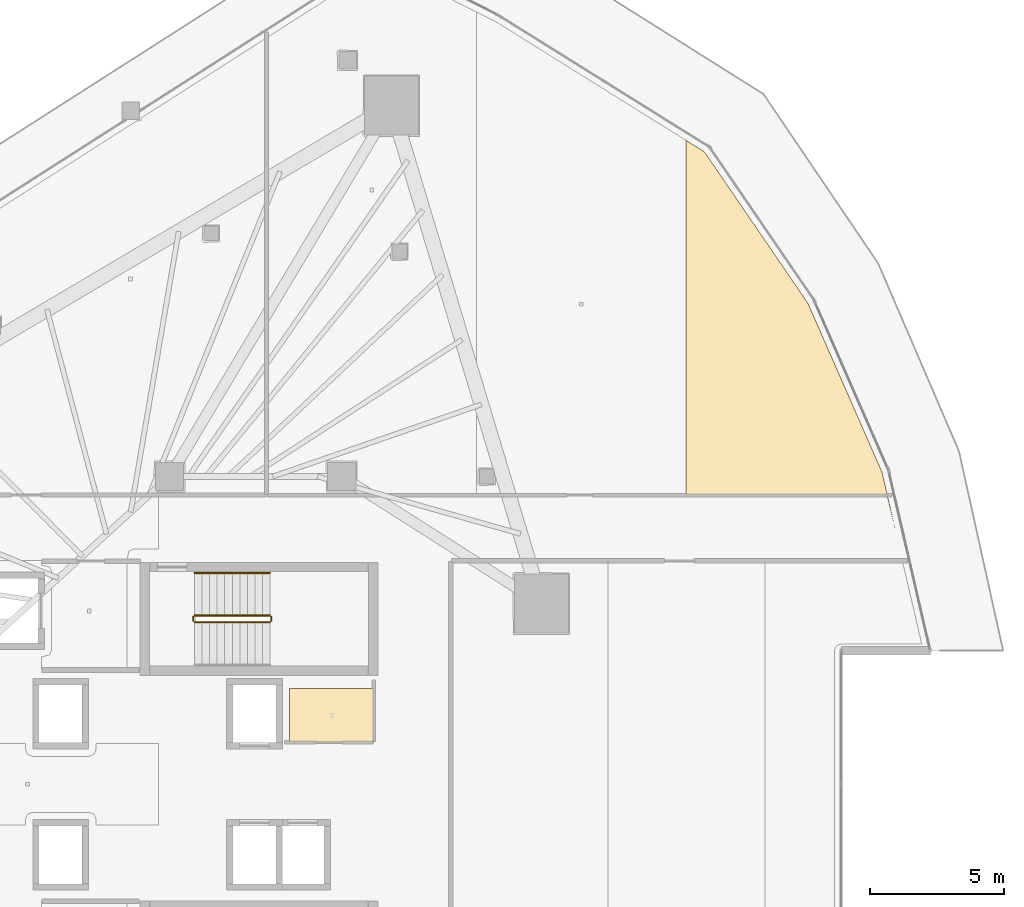
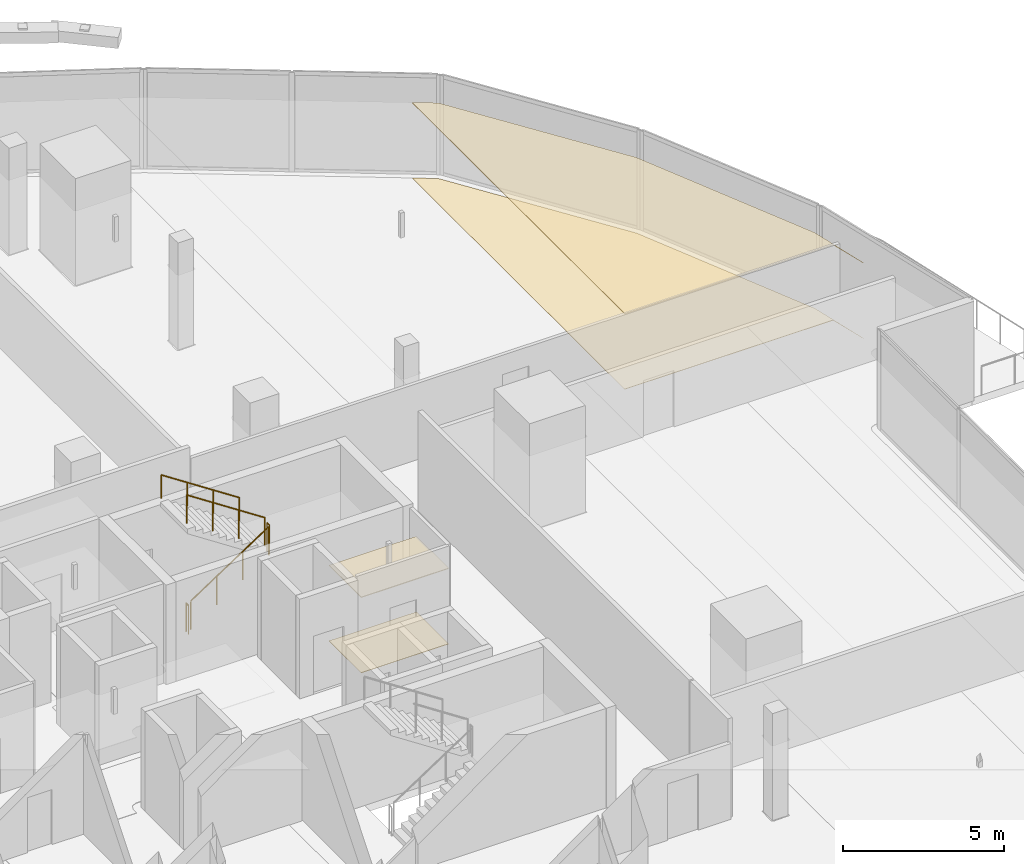
# One storey, part 41 of 42: 5 railings, 4 coverings.
"""IFC4 building model written with IfcOpenShell, lengths in metres."""

from ifc_helpers import new_model, si_unit, direction, frame, origin, origin_2d, place, context, subcontext, project, spatial, polyline, circle, outline, extrude, material, layer, layer_set, type_object, element, save


model = new_model("IFC4")

# Units and contexts
model_context = context("Model", 3, precision=1e-05, world=origin(), true_north=direction((0.0, 1.0)))
body_context = subcontext(model_context, "Body", "Model", "MODEL_VIEW")
ifc_project = project(units=[si_unit("LENGTHUNIT", "METRE"), si_unit("AREAUNIT", "SQUARE_METRE"), si_unit("VOLUMEUNIT", "CUBIC_METRE"), si_unit("PLANEANGLEUNIT", "RADIAN"), si_unit("MASSUNIT", "GRAM", prefix="KILO")], contexts=[model_context])

# Site, building, storey
site_placement = place(None, origin())
site = spatial("IfcSite", under=ifc_project, at=site_placement, CompositionType="ELEMENT")
building_placement = place(site_placement, origin())
building = spatial("IfcBuilding", under=site, at=building_placement, Name="Qorvath Tower", CompositionType="ELEMENT")
storey_placement = place(building_placement, frame((0.0, 0.0, 117.89990234375)))
storey = spatial("IfcBuildingStorey", under=building, at=storey_placement, Name="L26", CompositionType="ELEMENT", Elevation=117.89990234375)

# Coverings
ifc_material_1 = material(Name="Acoustic mineral fibre ceiling tile", Category="gypsum")
ifc_layer_1 = layer(ifc_material_1, 0.030029296875)
ifc_layer_set_1 = layer_set([ifc_layer_1], Name="COV-CEIL")
covering_type_1 = type_object("IfcCoveringType", Name="COV-CEIL", PredefinedType="CEILING", material=ifc_layer_set_1)
covering_1_placement = place(storey_placement, frame((0.0, 0.0, 2.85009765625)))
element("IfcCovering", 1, at=covering_1_placement, inside=storey, type_object=covering_type_1, Name="L26 Suspended Acoustic Ceiling 003", PredefinedType="CEILING", context=body_context, shape_type="SweptSolid", body=[
    extrude(outline(polyline([(-16.0048828125, 3.56005859375), (-19.139892578125, 3.56005859375), (-19.139892578125, 1.56494140625), (-16.0048828125, 1.56494140625), (-16.0048828125, 3.56005859375)])), origin(), (0.0, 0.0, 1.0), 0.030029296875),
])
covering_2_placement = place(storey_placement, frame((0.0, 0.0, 2.85009765625)))
element("IfcCovering", 2, at=covering_2_placement, inside=storey, type_object=covering_type_1, Name="L26 Suspended Acoustic Ceiling 016", PredefinedType="CEILING", context=body_context, shape_type="SweptSolid", body=[
    extrude(outline(polyline([(0.1484375, 17.88818359375), (-3.70166015625, 23.522705078125), (-4.391845703125, 23.95361328125), (-4.391845703125, 10.762939453125), (3.0810546875, 10.762939453125), (3.40185546875, 9.44580078125), (2.901123046875, 11.611572265625), (0.1484375, 17.88818359375)])), origin(), (0.0, 0.0, 1.0), 0.030029296875),
])
ifc_material_2 = material(Name="Low-VOC modular carpet tile", Category="textile")
ifc_layer_2 = layer(ifc_material_2, 0.014892578125)
ifc_layer_set_2 = layer_set([ifc_layer_2], Name="COV-FLOOR-CPT")
covering_type_2 = type_object("IfcCoveringType", Name="COV-FLOOR-CPT", PredefinedType="FLOORING", material=ifc_layer_set_2)
covering_3_placement = place(storey_placement, origin())
element("IfcCovering", 3, at=covering_3_placement, inside=storey, type_object=covering_type_2, Name="L26 Floor Finish 003", PredefinedType="FLOORING", context=body_context, shape_type="SweptSolid", body=[
    extrude(outline(polyline([(-16.0048828125, 3.56005859375), (-19.139892578125, 3.56005859375), (-19.139892578125, 1.56494140625), (-16.0048828125, 1.56494140625), (-16.0048828125, 3.56005859375)])), origin(), (0.0, 0.0, 1.0), 0.01513671875),
])
covering_4_placement = place(storey_placement, origin())
element("IfcCovering", 4, at=covering_4_placement, inside=storey, type_object=covering_type_2, Name="L26 Floor Finish 016", PredefinedType="FLOORING", context=body_context, shape_type="SweptSolid", body=[
    extrude(outline(polyline([(0.1484375, 17.88818359375), (-3.70166015625, 23.522705078125), (-4.391845703125, 23.95361328125), (-4.391845703125, 10.762939453125), (3.0810546875, 10.762939453125), (3.40185546875, 9.44580078125), (2.901123046875, 11.611572265625), (0.1484375, 17.88818359375)])), origin(), (0.0, 0.0, 1.0), 0.01513671875),
])

# Railings
ifc_material_3 = material(Name="Painted galvanised steel", Category="steel")
railing_type_1 = type_object("IfcRailingType", Name="RL-STR-GRD", PredefinedType="GUARDRAIL", material=ifc_material_3)
railing_1_placement = place(storey_placement, frame((-22.669921875, 6.030029296875, 0.18408203125)))
element("IfcRailing", 5, at=railing_1_placement, inside=storey, type_object=railing_type_1, Name="L26 TS1 stair guard 1", PredefinedType="GUARDRAIL", context=body_context, shape_type="SweptSolid", body=[
    extrude(circle(Radius=0.02392578125, at=origin_2d()), frame((0.0, 0.0, 1.076171875), z_axis=(0.835542071712, 0.0, 0.549426470421), x_axis=(0.0, 1.0, 0.0)), (0.0, 0.0, 1.0), 3.350830078125),
    extrude(circle(Radius=0.02099609375, at=origin_2d()), origin(), (0.0, 0.0, 1.0), 1.052001953125),
    extrude(circle(Radius=0.02099609375, at=origin_2d()), frame((0.933349609375, 0.0, 0.61376953125)), (0.0, 0.0, 1.0), 1.052001953125),
    extrude(circle(Radius=0.02099609375, at=origin_2d()), frame((1.866455078125, 0.0, 1.227294921875)), (0.0, 0.0, 1.0), 1.052001953125),
    extrude(circle(Radius=0.02099609375, at=origin_2d()), frame((2.7998046875, 0.0, 1.841064453125)), (0.0, 0.0, 1.0), 1.052001953125),
])
railing_2_placement = place(storey_placement, frame((-19.820068359375, 6.080078125, 2.025146484375)))
element("IfcRailing", 6, at=railing_2_placement, inside=storey, type_object=railing_type_1, Name="L26 TS1 stair guard 2", PredefinedType="GUARDRAIL", context=body_context, shape_type="SweptSolid", body=[
    extrude(circle(Radius=0.02392578125, at=origin_2d()), frame((0.0, 0.0, 1.076171875), z_axis=(0.0, 1.0, 0.0), x_axis=(-1.0, 0.0, 0.0)), (0.0, 0.0, 1.0), 0.14990234375),
    extrude(circle(Radius=0.02099609375, at=origin_2d()), origin(), (0.0, 0.0, 1.0), 1.052001953125),
    extrude(circle(Radius=0.02099609375, at=origin_2d()), frame((0.0, 0.14990234375, 0.0)), (0.0, 0.0, 1.0), 1.052001953125),
])
railing_3_placement = place(storey_placement, frame((-19.8701171875, 6.280029296875, 2.209228515625)))
element("IfcRailing", 7, at=railing_3_placement, inside=storey, type_object=railing_type_1, Name="L26 TS1 stair guard 3", PredefinedType="GUARDRAIL", context=body_context, shape_type="SweptSolid", body=[
    extrude(circle(Radius=0.02392578125, at=origin_2d()), frame((0.0, 0.0, 1.076171875), z_axis=(-0.835575518608, 0.0, 0.549375602573), x_axis=(0.0, -1.0, 0.0)), (0.0, 0.0, 1.0), 3.350830078125),
    extrude(circle(Radius=0.02099609375, at=origin_2d()), origin(), (0.0, 0.0, 1.0), 1.052001953125),
    extrude(circle(Radius=0.02099609375, at=origin_2d()), frame((-0.933349609375, 0.0, 0.613525390625)), (0.0, 0.0, 1.0), 1.052001953125),
    extrude(circle(Radius=0.02099609375, at=origin_2d()), frame((-1.866455078125, 0.0, 1.227294921875)), (0.0, 0.0, 1.0), 1.052001953125),
    extrude(circle(Radius=0.02099609375, at=origin_2d()), frame((-2.7998046875, 0.0, 1.8408203125)), (0.0, 0.0, 1.0), 1.052001953125),
])
railing_4_placement = place(storey_placement, frame((-22.719970703125, 6.080078125, 0.0)))
element("IfcRailing", 8, at=railing_4_placement, inside=storey, type_object=railing_type_1, Name="L26 TS1 stair guard 4", PredefinedType="GUARDRAIL", context=body_context, shape_type="SweptSolid", body=[
    extrude(circle(Radius=0.02392578125, at=origin_2d()), frame((0.0, 0.0, 1.076171875), z_axis=(0.0, 1.0, 0.0), x_axis=(-1.0, 0.0, 0.0)), (0.0, 0.0, 1.0), 0.14990234375),
    extrude(circle(Radius=0.02099609375, at=origin_2d()), origin(), (0.0, 0.0, 1.0), 1.052001953125),
    extrude(circle(Radius=0.02099609375, at=origin_2d()), frame((0.0, 0.14990234375, 0.0)), (0.0, 0.0, 1.0), 1.052001953125),
])
ifc_material_4 = material(Name="Brushed stainless steel AISI 304", Category="steel")
railing_type_2 = type_object("IfcRailingType", Name="RL-STR-HND", PredefinedType="HANDRAIL", material=ifc_material_4)
railing_5_placement = place(storey_placement, frame((-19.8701171875, 7.860107421875, 2.209228515625)))
element("IfcRailing", 9, at=railing_5_placement, inside=storey, type_object=railing_type_2, Name="L26 TS1 stair handrail 2", PredefinedType="HANDRAIL", context=body_context, shape_type="SweptSolid", body=[
    extrude(circle(Radius=0.02392578125, at=origin_2d()), frame((0.0, 0.0, 0.8759765625), z_axis=(-0.835575518608, 0.0, 0.549375602573), x_axis=(0.0, -1.0, 0.0)), (0.0, 0.0, 1.0), 3.350830078125),
    extrude(circle(Radius=0.02099609375, at=origin_2d()), origin(), (0.0, 0.0, 1.0), 0.851806640625),
    extrude(circle(Radius=0.02099609375, at=origin_2d()), frame((-0.933349609375, 0.0, 0.613525390625)), (0.0, 0.0, 1.0), 0.851806640625),
    extrude(circle(Radius=0.02099609375, at=origin_2d()), frame((-1.866455078125, 0.0, 1.227294921875)), (0.0, 0.0, 1.0), 0.851806640625),
    extrude(circle(Radius=0.02099609375, at=origin_2d()), frame((-2.7998046875, 0.0, 1.8408203125)), (0.0, 0.0, 1.0), 0.851806640625),
])

save(model, "model.ifc")
